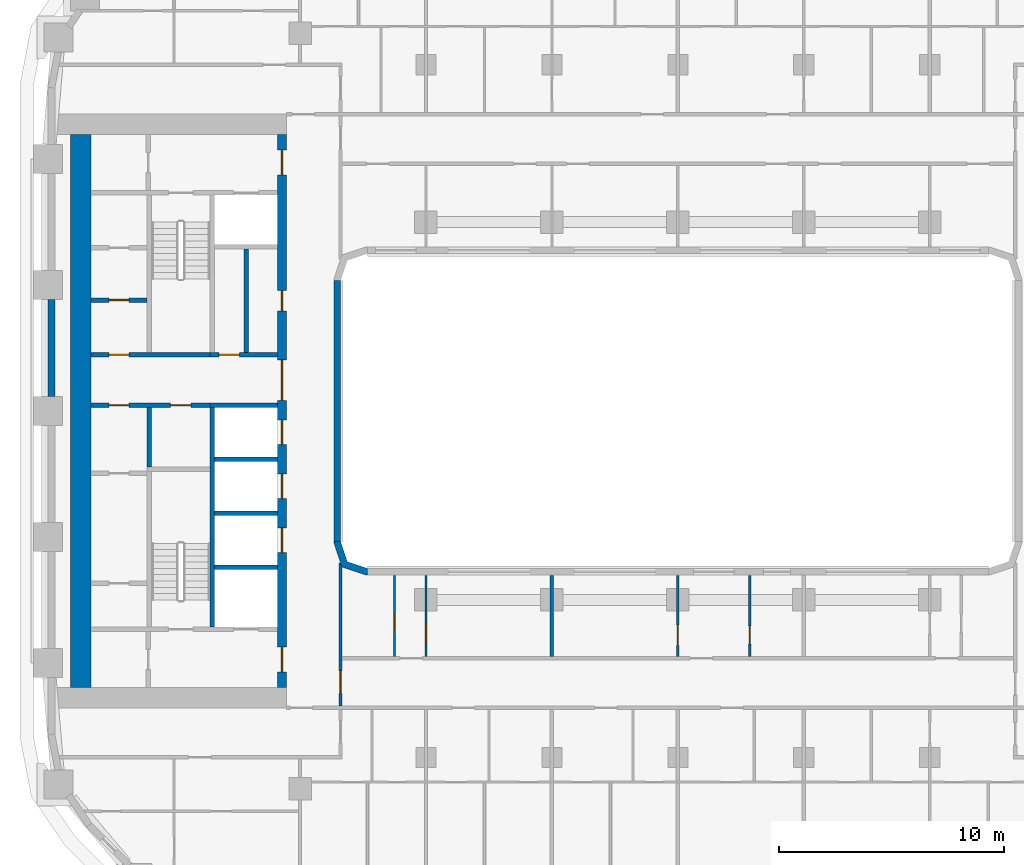
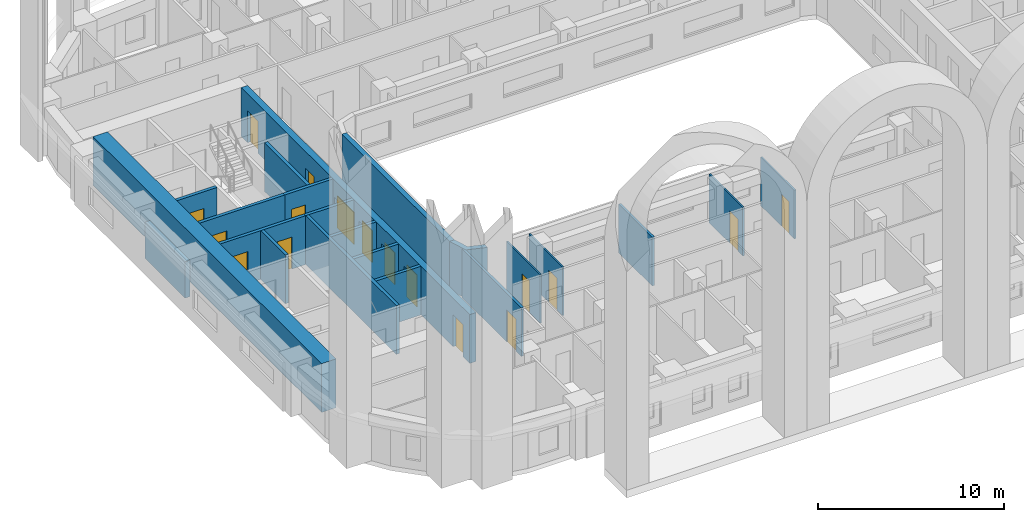
# One storey, part 4 of 19: 22 walls, 17 doors, 17 openings.
"""IFC4 building model written with IfcOpenShell, lengths in metres."""

from ifc_helpers import new_model, si_unit, direction, frame, frame_2d, origin, place, context, subcontext, project, spatial, polyline, rectangle, outline, extrude, material, layer, layer_set, type_object, element, fill, save


model = new_model("IFC4")

# Units and contexts
model_context = context("Model", 3, precision=1e-05, world=origin(), true_north=direction((0.0, 1.0)))
body_context = subcontext(model_context, "Body", "Model", "MODEL_VIEW")
ifc_project = project(units=[si_unit("LENGTHUNIT", "METRE"), si_unit("AREAUNIT", "SQUARE_METRE"), si_unit("VOLUMEUNIT", "CUBIC_METRE"), si_unit("PLANEANGLEUNIT", "RADIAN"), si_unit("MASSUNIT", "GRAM", prefix="KILO")], contexts=[model_context])

# Site, building, storey
site_placement = place(None, origin())
site = spatial("IfcSite", under=ifc_project, at=site_placement, CompositionType="ELEMENT")
building_placement = place(site_placement, origin())
building = spatial("IfcBuilding", under=site, at=building_placement, Name="Kiln Ring Residences", CompositionType="ELEMENT")
storey_placement = place(building_placement, frame((0.0, 0.0, 83.300048828125)))
storey = spatial("IfcBuildingStorey", under=building, at=storey_placement, Name="L20", CompositionType="ELEMENT", Elevation=83.300048828125)

# Wall
ifc_material_1 = material(Name="Gypsum board on steel studs", Category="steel")
ifc_layer_1 = layer(ifc_material_1, 0.199951171875)
ifc_layer_set_1 = layer_set([ifc_layer_1], Name="CORE-PARTITION-200")
wall_type_1 = type_object("IfcWallType", Name="CORE-PARTITION-200", PredefinedType="PARTITIONING", material=ifc_layer_set_1)
wall_1_placement = place(storey_placement, frame((-23.5, -2.5, 0.0), z_axis=(0.0, 0.0, 1.0), x_axis=(0.0, 1.0, 0.0)))
element("IfcWall", 1, at=wall_1_placement, inside=storey, type_object=wall_type_1, Name="Core partition west L20 1", PredefinedType="PARTITIONING", context=body_context, shape_type="SweptSolid", body=[
    extrude(rectangle(XDim=2.64990234375, YDim=0.199951171875, at=frame_2d((1.324951171875, 0.0))), origin(), (0.0, 0.0, 1.0), 3.199951171875),
])

# Wall, openings, doors
wall_2_placement = place(storey_placement, frame((-20.800048828125, 0.25, 0.0), z_axis=(0.0, 0.0, 1.0), x_axis=(-1.0, 0.0, 0.0)))
wall_2 = element("IfcWall", 2, at=wall_2_placement, inside=storey, type_object=wall_type_1, Name="Core partition west L20 2", PredefinedType="PARTITIONING", context=body_context, shape_type="SweptSolid", body=[
    extrude(rectangle(XDim=5.300048828125, YDim=0.199951171875, at=frame_2d((2.64990234375, 0.0))), origin(), (0.0, 0.0, 1.0), 3.199951171875),
])
opening_1_placement = place(wall_2_placement, frame((0.85009765625, 0.0, 0.0)))
opening_1 = element("IfcOpeningElement", 3, at=opening_1_placement, cuts=wall_2, Name="Opening L20-CW15", PredefinedType="OPENING", context=body_context, shape_type="SweptSolid", body=[
    extrude(rectangle(XDim=0.89990234375, YDim=2.10009765625, at=frame_2d((0.449951171875, 1.050048828125))), frame((0.0, 0.10986328125, 0.0), z_axis=(0.0, -1.0, 0.0), x_axis=(1.0, 0.0, 0.0)), (0.0, 0.0, 1.0), 0.219970703125),
])
opening_2_placement = place(wall_2_placement, frame((3.60009765625, 0.0, 0.0)))
opening_2 = element("IfcOpeningElement", 4, at=opening_2_placement, cuts=wall_2, Name="Opening L20-CW18", PredefinedType="OPENING", context=body_context, shape_type="SweptSolid", body=[
    extrude(rectangle(XDim=0.89990234375, YDim=2.10009765625, at=frame_2d((0.449951171875, 1.050048828125))), frame((0.0, 0.10986328125, 0.0), z_axis=(0.0, -1.0, 0.0), x_axis=(1.0, 0.0, 0.0)), (0.0, 0.0, 1.0), 0.219970703125),
])
ifc_material_2 = material(Name="Steel door leaf", Category="steel")
door_type_1 = type_object("IfcDoorType", Name="CORE-DOOR-ROOM", OperationType="SINGLE_SWING_LEFT", PredefinedType="DOOR", material=ifc_material_2)
door_1_placement = place(opening_1_placement, origin())
door_1 = element("IfcDoor", 5, at=door_1_placement, inside=storey, type_object=door_type_1, Name="Cleaner's store L20-CW15", OperationType="SINGLE_SWING_LEFT", OverallHeight=2.10009765625, OverallWidth=0.89990234375, PredefinedType="DOOR", context=body_context, shape_type="SweptSolid", body=[
    extrude(rectangle(XDim=0.89990234375, YDim=2.10009765625, at=frame_2d((0.449951171875, 1.050048828125))), frame((0.0, 0.02490234375, 0.0), z_axis=(0.0, -1.0, 0.0), x_axis=(1.0, 0.0, 0.0)), (0.0, 0.0, 1.0), 0.050048828125),
])
fill(opening_1, door_1)
door_2_placement = place(opening_2_placement, origin())
door_2 = element("IfcDoor", 6, at=door_2_placement, inside=storey, type_object=door_type_1, Name="Battery room L20-CW18", OperationType="SINGLE_SWING_RIGHT", OverallHeight=2.10009765625, OverallWidth=0.89990234375, PredefinedType="DOOR", context=body_context, shape_type="SweptSolid", body=[
    extrude(rectangle(XDim=0.89990234375, YDim=2.10009765625, at=frame_2d((0.449951171875, 1.050048828125))), frame((0.0, 0.02490234375, 0.0), z_axis=(0.0, -1.0, 0.0), x_axis=(1.0, 0.0, 0.0)), (0.0, 0.0, 1.0), 0.050048828125),
])
fill(opening_2, door_2)

# Wall
wall_3_placement = place(storey_placement, frame((-19.199951171875, 2.60009765625, 0.0), z_axis=(0.0, 0.0, 1.0), x_axis=(0.0, 1.0, 0.0)))
element("IfcWall", 7, at=wall_3_placement, inside=storey, type_object=wall_type_1, Name="Core partition west L20 3", PredefinedType="PARTITIONING", context=body_context, shape_type="SweptSolid", body=[
    extrude(rectangle(XDim=4.599853515625, YDim=0.199951171875, at=frame_2d((2.2998046875, 0.0))), origin(), (0.0, 0.0, 1.0), 3.199951171875),
])

# Wall, opening, door
wall_4_placement = place(storey_placement, frame((-23.60009765625, 4.933349609375, 0.0), z_axis=(0.0, 0.0, 1.0), x_axis=(-1.0, 0.0, 0.0)))
wall_4 = element("IfcWall", 8, at=wall_4_placement, inside=storey, type_object=wall_type_1, Name="Core partition west L20 8", PredefinedType="PARTITIONING", context=body_context, shape_type="SweptSolid", body=[
    extrude(rectangle(XDim=2.5, YDim=0.199951171875, at=frame_2d((1.25, 0.0))), origin(), (0.0, 0.0, 1.0), 3.199951171875),
])
opening_3_placement = place(wall_4_placement, frame((0.800048828125, 0.0, 0.0)))
opening_3 = element("IfcOpeningElement", 9, at=opening_3_placement, cuts=wall_4, Name="Opening L20-CW19", PredefinedType="OPENING", context=body_context, shape_type="SweptSolid", body=[
    extrude(rectangle(XDim=0.89990234375, YDim=2.10009765625, at=frame_2d((0.449951171875, 1.050048828125))), frame((0.0, 0.10986328125, 0.0), z_axis=(0.0, -1.0, 0.0), x_axis=(1.0, 0.0, 0.0)), (0.0, 0.0, 1.0), 0.219970703125),
])
door_3_placement = place(opening_3_placement, origin())
door_3 = element("IfcDoor", 10, at=door_3_placement, inside=storey, type_object=door_type_1, Name="Electrical plant room L20-CW19", OperationType="SINGLE_SWING_RIGHT", OverallHeight=2.10009765625, OverallWidth=0.89990234375, PredefinedType="DOOR", context=body_context, shape_type="SweptSolid", body=[
    extrude(rectangle(XDim=0.89990234375, YDim=2.10009765625, at=frame_2d((0.449951171875, 1.050048828125))), frame((0.0, 0.02490234375, 0.0), z_axis=(0.0, -1.0, 0.0), x_axis=(1.0, 0.0, 0.0)), (0.0, 0.0, 1.0), 0.050048828125),
])
fill(opening_3, door_3)

# Walls
ifc_material_3 = material(Name="Gypsum shaft wall system")
ifc_layer_2 = layer(ifc_material_3, 0.199951171875)
ifc_layer_set_2 = layer_set([ifc_layer_2], Name="CORE-SHAFT-WALL-200")
wall_type_2 = type_object("IfcWallType", Name="CORE-SHAFT-WALL-200", PredefinedType="PARTITIONING", material=ifc_layer_set_2)
for number, where, z_axis, x_axis, name in (
    (11, (-17.800048828125, -6.949951171875, 0.0), (0.0, 0.0, 1.0), (-1.0, 0.0, 0.0), "Core partition west L20 10"),
    (12, (-17.800048828125, -4.550048828125, 0.0), (0.0, 0.0, 1.0), (-1.0, 0.0, 0.0), "Core partition west L20 11"),
    (13, (-17.800048828125, -2.14990234375, 0.0), (0.0, 0.0, 1.0), (-1.0, 0.0, 0.0), "Core partition west L20 12"),
):
    element("IfcWall", number, at=place(storey_placement, frame(where, z_axis=z_axis, x_axis=x_axis)), inside=storey, type_object=wall_type_2, Name=name, PredefinedType="PARTITIONING", context=body_context, shape_type="SweptSolid", body=[
        extrude(rectangle(XDim=2.800048828125, YDim=0.199951171875, at=frame_2d((1.39990234375, 0.0))), origin(), (0.0, 0.0, 1.0), 3.199951171875),
    ])
wall_5_placement = place(storey_placement, frame((-17.800048828125, 0.25, 0.0), z_axis=(0.0, 0.0, 1.0), x_axis=(-1.0, 0.0, 0.0)))
element("IfcWall", 14, at=wall_5_placement, inside=storey, type_object=wall_type_2, Name="Core partition west L20 13", PredefinedType="PARTITIONING", context=body_context, shape_type="SweptSolid", body=[
    extrude(rectangle(XDim=3.0, YDim=0.199951171875, at=frame_2d((1.5, 0.0))), origin(), (0.0, 0.0, 1.0), 3.199951171875),
])

# Wall, opening, door
wall_6_placement = place(storey_placement, frame((-17.800048828125, 2.5, 0.0), z_axis=(0.0, 0.0, 1.0), x_axis=(-1.0, 0.0, 0.0)))
wall_6 = element("IfcWall", 15, at=wall_6_placement, inside=storey, type_object=wall_type_2, Name="Core partition west L20 14", PredefinedType="PARTITIONING", context=body_context, shape_type="SweptSolid", body=[
    extrude(rectangle(XDim=3.0, YDim=0.199951171875, at=frame_2d((1.5, 0.0))), origin(), (0.0, 0.0, 1.0), 3.199951171875),
])
opening_4_placement = place(wall_6_placement, frame((1.699951171875, 0.0, 0.0)))
opening_4 = element("IfcOpeningElement", 16, at=opening_4_placement, cuts=wall_6, Name="Opening L20-CW06", PredefinedType="OPENING", context=body_context, shape_type="SweptSolid", body=[
    extrude(rectangle(XDim=0.89990234375, YDim=2.10009765625, at=frame_2d((0.449951171875, 1.050048828125))), frame((0.0, 0.10986328125, 0.0), z_axis=(0.0, -1.0, 0.0), x_axis=(1.0, 0.0, 0.0)), (0.0, 0.0, 1.0), 0.219970703125),
])
door_4_placement = place(opening_4_placement, origin())
door_4 = element("IfcDoor", 17, at=door_4_placement, inside=storey, type_object=door_type_1, Name="Cleaner's store L20-CW06", OperationType="SINGLE_SWING_LEFT", OverallHeight=2.10009765625, OverallWidth=0.89990234375, PredefinedType="DOOR", context=body_context, shape_type="SweptSolid", body=[
    extrude(rectangle(XDim=0.89990234375, YDim=2.10009765625, at=frame_2d((0.449951171875, 1.050048828125))), frame((0.0, 0.02490234375, 0.0), z_axis=(0.0, -1.0, 0.0), x_axis=(1.0, 0.0, 0.0)), (0.0, 0.0, 1.0), 0.050048828125),
])
fill(opening_4, door_4)

# Wall
ifc_material_4 = material(Name="Concrete C40/50", Category="concrete")
ifc_layer_3 = layer(ifc_material_4, 0.199951171875)
ifc_layer_set_3 = layer_set([ifc_layer_3], Name="CORE-WALL-RC200")
wall_type_3 = type_object("IfcWallType", Name="CORE-WALL-RC200", PredefinedType="SHEAR", material=ifc_layer_set_3)
wall_7_placement = place(storey_placement, frame((-20.699951171875, -9.60009765625, 0.0), z_axis=(0.0, 0.0, 1.0), x_axis=(0.0, 1.0, 0.0)))
element("IfcWall", 18, at=wall_7_placement, inside=storey, type_object=wall_type_3, Name="Core wall west L20 2", PredefinedType="SHEAR", context=body_context, shape_type="SweptSolid", body=[
    extrude(rectangle(XDim=9.75, YDim=0.199951171875, at=frame_2d((4.875, 0.0))), origin(), (0.0, 0.0, 1.0), 3.199951171875),
])

# Wall, opening, door
wall_8_placement = place(storey_placement, frame((-20.800048828125, 2.5, 0.0), z_axis=(0.0, 0.0, 1.0), x_axis=(-1.0, 0.0, 0.0)))
wall_8 = element("IfcWall", 19, at=wall_8_placement, inside=storey, type_object=wall_type_3, Name="Core wall west L20 3", PredefinedType="SHEAR", context=body_context, shape_type="SweptSolid", body=[
    extrude(rectangle(XDim=5.300048828125, YDim=0.199951171875, at=frame_2d((2.64990234375, 0.0))), origin(), (0.0, 0.0, 1.0), 3.199951171875),
])
opening_5_placement = place(wall_8_placement, frame((3.60009765625, 0.0, 0.0)))
opening_5 = element("IfcOpeningElement", 20, at=opening_5_placement, cuts=wall_8, Name="Opening L20-CW21", PredefinedType="OPENING", context=body_context, shape_type="SweptSolid", body=[
    extrude(rectangle(XDim=0.89990234375, YDim=2.10009765625, at=frame_2d((0.449951171875, 1.050048828125))), frame((0.0, 0.10986328125, 0.0), z_axis=(0.0, -1.0, 0.0), x_axis=(1.0, 0.0, 0.0)), (0.0, 0.0, 1.0), 0.219970703125),
])
door_5_placement = place(opening_5_placement, origin())
door_5 = element("IfcDoor", 21, at=door_5_placement, inside=storey, type_object=door_type_1, Name="UPS room L20-CW21", OperationType="SINGLE_SWING_RIGHT", OverallHeight=2.10009765625, OverallWidth=0.89990234375, PredefinedType="DOOR", context=body_context, shape_type="SweptSolid", body=[
    extrude(rectangle(XDim=0.89990234375, YDim=2.10009765625, at=frame_2d((0.449951171875, 1.050048828125))), frame((0.0, 0.02490234375, 0.0), z_axis=(0.0, -1.0, 0.0), x_axis=(1.0, 0.0, 0.0)), (0.0, 0.0, 1.0), 0.050048828125),
])
fill(opening_5, door_5)

# Wall, openings, doors
ifc_material_5 = material(Name="Concrete C60/75", Category="concrete")
ifc_layer_4 = layer(ifc_material_5, 0.39990234375)
ifc_layer_set_4 = layer_set([ifc_layer_4], Name="CORE-WALL-RC400")
wall_type_4 = type_object("IfcWallType", Name="CORE-WALL-RC400", PredefinedType="SHEAR", material=ifc_layer_set_4)
wall_9_placement = place(storey_placement, frame((-17.60009765625, -12.300048828125, 0.0), z_axis=(0.0, 0.0, 1.0), x_axis=(0.0, 1.0, 0.0)))
wall_9 = element("IfcWall", 22, at=wall_9_placement, inside=storey, type_object=wall_type_4, Name="Core wall west L20 6", PredefinedType="SHEAR", context=body_context, shape_type="SweptSolid", body=[
    extrude(rectangle(XDim=24.60009765625, YDim=0.39990234375, at=frame_2d((12.300048828125, 0.0))), origin(), (0.0, 0.0, 1.0), 3.199951171875),
])
opening_6_placement = place(wall_9_placement, frame((6.0, 0.0, 0.0)))
opening_6 = element("IfcOpeningElement", 23, at=opening_6_placement, cuts=wall_9, Name="Opening L20-CW02", PredefinedType="OPENING", context=body_context, shape_type="SweptSolid", body=[
    extrude(rectangle(XDim=1.10009765625, YDim=2.10009765625, at=frame_2d((0.550048828125, 1.050048828125))), frame((0.0, 0.2099609375, 0.0), z_axis=(0.0, -1.0, 0.0), x_axis=(1.0, 0.0, 0.0)), (0.0, 0.0, 1.0), 0.419921875),
])
opening_7_placement = place(wall_9_placement, frame((8.39990234375, 0.0, 0.0)))
opening_7 = element("IfcOpeningElement", 24, at=opening_7_placement, cuts=wall_9, Name="Opening L20-CW03", PredefinedType="OPENING", context=body_context, shape_type="SweptSolid", body=[
    extrude(rectangle(XDim=1.10009765625, YDim=2.10009765625, at=frame_2d((0.550048828125, 1.050048828125))), frame((0.0, 0.2099609375, 0.0), z_axis=(0.0, -1.0, 0.0), x_axis=(1.0, 0.0, 0.0)), (0.0, 0.0, 1.0), 0.419921875),
])
opening_8_placement = place(wall_9_placement, frame((10.800048828125, 0.0, 0.0)))
opening_8 = element("IfcOpeningElement", 25, at=opening_8_placement, cuts=wall_9, Name="Opening L20-CW04", PredefinedType="OPENING", context=body_context, shape_type="SweptSolid", body=[
    extrude(rectangle(XDim=1.10009765625, YDim=2.10009765625, at=frame_2d((0.550048828125, 1.050048828125))), frame((0.0, 0.2099609375, 0.0), z_axis=(0.0, -1.0, 0.0), x_axis=(1.0, 0.0, 0.0)), (0.0, 0.0, 1.0), 0.419921875),
])
opening_9_placement = place(wall_9_placement, frame((16.75, 0.0, 0.0)))
opening_9 = element("IfcOpeningElement", 26, at=opening_9_placement, cuts=wall_9, Name="Opening L20-CW05", PredefinedType="OPENING", context=body_context, shape_type="SweptSolid", body=[
    extrude(rectangle(XDim=0.89990234375, YDim=2.10009765625, at=frame_2d((0.449951171875, 1.050048828125))), frame((0.0, 0.2099609375, 0.0), z_axis=(0.0, -1.0, 0.0), x_axis=(1.0, 0.0, 0.0)), (0.0, 0.0, 1.0), 0.419921875),
])
opening_10_placement = place(wall_9_placement, frame((22.800048828125, 0.0, 0.0)))
opening_10 = element("IfcOpeningElement", 27, at=opening_10_placement, cuts=wall_9, Name="Opening L20-CW08", PredefinedType="OPENING", context=body_context, shape_type="SweptSolid", body=[
    extrude(rectangle(XDim=1.10009765625, YDim=2.10009765625, at=frame_2d((0.550048828125, 1.050048828125))), frame((0.0, 0.2099609375, 0.0), z_axis=(0.0, -1.0, 0.0), x_axis=(1.0, 0.0, 0.0)), (0.0, 0.0, 1.0), 0.419921875),
])
opening_11_placement = place(wall_9_placement, frame((0.699951171875, 0.0, 0.0)))
opening_11 = element("IfcOpeningElement", 28, at=opening_11_placement, cuts=wall_9, Name="Opening L20-CW09", PredefinedType="OPENING", context=body_context, shape_type="SweptSolid", body=[
    extrude(rectangle(XDim=1.10009765625, YDim=2.10009765625, at=frame_2d((0.550048828125, 1.050048828125))), frame((0.0, 0.2099609375, 0.0), z_axis=(0.0, -1.0, 0.0), x_axis=(1.0, 0.0, 0.0)), (0.0, 0.0, 1.0), 0.419921875),
])
opening_12_placement = place(wall_9_placement, frame((12.77490234375, 0.0, 0.0)))
opening_12 = element("IfcOpeningElement", 29, at=opening_12_placement, cuts=wall_9, Name="Opening L20-CW14", PredefinedType="OPENING", context=body_context, shape_type="SweptSolid", body=[
    extrude(rectangle(XDim=1.800048828125, YDim=2.10009765625, at=frame_2d((0.89990234375, 1.050048828125))), frame((0.0, 0.2099609375, 0.0), z_axis=(0.0, -1.0, 0.0), x_axis=(1.0, 0.0, 0.0)), (0.0, 0.0, 1.0), 0.419921875),
])
ifc_material_6 = material(Name="Steel door leaf", Category="steel")
door_type_2 = type_object("IfcDoorType", Name="CORE-DOOR-LD", OperationType="DOUBLE_DOOR_SLIDING", PredefinedType="DOOR", material=ifc_material_6)
door_6_placement = place(opening_6_placement, origin())
door_6 = element("IfcDoor", 30, at=door_6_placement, inside=storey, type_object=door_type_2, Name="LD W-L1 L20-CW02", OperationType="DOUBLE_DOOR_SLIDING", OverallHeight=2.10009765625, OverallWidth=1.10009765625, PredefinedType="DOOR", context=body_context, shape_type="SweptSolid", body=[
    extrude(rectangle(XDim=1.10009765625, YDim=2.10009765625, at=frame_2d((0.550048828125, 1.050048828125))), frame((0.0, 0.02490234375, 0.0), z_axis=(0.0, -1.0, 0.0), x_axis=(1.0, 0.0, 0.0)), (0.0, 0.0, 1.0), 0.050048828125),
])
fill(opening_6, door_6)
door_7_placement = place(opening_7_placement, origin())
door_7 = element("IfcDoor", 31, at=door_7_placement, inside=storey, type_object=door_type_2, Name="LD W-L2 L20-CW03", OperationType="DOUBLE_DOOR_SLIDING", OverallHeight=2.10009765625, OverallWidth=1.10009765625, PredefinedType="DOOR", context=body_context, shape_type="SweptSolid", body=[
    extrude(rectangle(XDim=1.10009765625, YDim=2.10009765625, at=frame_2d((0.550048828125, 1.050048828125))), frame((0.0, 0.02490234375, 0.0), z_axis=(0.0, -1.0, 0.0), x_axis=(1.0, 0.0, 0.0)), (0.0, 0.0, 1.0), 0.050048828125),
])
fill(opening_7, door_7)
door_8_placement = place(opening_8_placement, origin())
door_8 = element("IfcDoor", 32, at=door_8_placement, inside=storey, type_object=door_type_2, Name="LD W-L3 L20-CW04", OperationType="DOUBLE_DOOR_SLIDING", OverallHeight=2.10009765625, OverallWidth=1.10009765625, PredefinedType="DOOR", context=body_context, shape_type="SweptSolid", body=[
    extrude(rectangle(XDim=1.10009765625, YDim=2.10009765625, at=frame_2d((0.550048828125, 1.050048828125))), frame((0.0, 0.02490234375, 0.0), z_axis=(0.0, -1.0, 0.0), x_axis=(1.0, 0.0, 0.0)), (0.0, 0.0, 1.0), 0.050048828125),
])
fill(opening_8, door_8)
ifc_material_7 = material(Name="Steel door leaf", Category="steel")
door_type_3 = type_object("IfcDoorType", Name="CORE-DOOR-LOBBY", OperationType="SINGLE_SWING_LEFT", PredefinedType="DOOR", material=ifc_material_7)
door_9_placement = place(opening_10_placement, origin())
door_9 = element("IfcDoor", 33, at=door_9_placement, inside=storey, type_object=door_type_3, Name="FFL L20-CW08", OperationType="SINGLE_SWING_LEFT", OverallHeight=2.10009765625, OverallWidth=1.10009765625, PredefinedType="DOOR", context=body_context, shape_type="SweptSolid", body=[
    extrude(rectangle(XDim=1.10009765625, YDim=2.10009765625, at=frame_2d((0.550048828125, 1.050048828125))), frame((0.0, 0.02490234375, 0.0), z_axis=(0.0, -1.0, 0.0), x_axis=(1.0, 0.0, 0.0)), (0.0, 0.0, 1.0), 0.050048828125),
])
fill(opening_10, door_9)
door_10_placement = place(opening_11_placement, origin())
door_10 = element("IfcDoor", 34, at=door_10_placement, inside=storey, type_object=door_type_3, Name="SVL L20-CW09", OperationType="SINGLE_SWING_RIGHT", OverallHeight=2.10009765625, OverallWidth=1.10009765625, PredefinedType="DOOR", context=body_context, shape_type="SweptSolid", body=[
    extrude(rectangle(XDim=1.10009765625, YDim=2.10009765625, at=frame_2d((0.550048828125, 1.050048828125))), frame((0.0, 0.02490234375, 0.0), z_axis=(0.0, -1.0, 0.0), x_axis=(1.0, 0.0, 0.0)), (0.0, 0.0, 1.0), 0.050048828125),
])
fill(opening_11, door_10)
ifc_material_8 = material(Name="Steel door leaf", Category="steel")
door_type_4 = type_object("IfcDoorType", Name="CORE-DOOR-PASS", OperationType="DOUBLE_DOOR_SINGLE_SWING", PredefinedType="DOOR", material=ifc_material_8)
door_11_placement = place(opening_12_placement, origin())
door_11 = element("IfcDoor", 35, at=door_11_placement, inside=storey, type_object=door_type_4, Name="Core passage L20-CW14", OperationType="DOUBLE_DOOR_SINGLE_SWING", OverallHeight=2.10009765625, OverallWidth=1.800048828125, PredefinedType="DOOR", context=body_context, shape_type="SweptSolid", body=[
    extrude(rectangle(XDim=1.800048828125, YDim=2.10009765625, at=frame_2d((0.89990234375, 1.050048828125))), frame((0.0, 0.02490234375, 0.0), z_axis=(0.0, -1.0, 0.0), x_axis=(1.0, 0.0, 0.0)), (0.0, 0.0, 1.0), 0.050048828125),
])
fill(opening_12, door_11)
door_12_placement = place(opening_9_placement, origin())
door_12 = element("IfcDoor", 36, at=door_12_placement, inside=storey, type_object=door_type_1, Name="Storage room L20-CW05", OperationType="SINGLE_SWING_LEFT", OverallHeight=2.10009765625, OverallWidth=0.89990234375, PredefinedType="DOOR", context=body_context, shape_type="SweptSolid", body=[
    extrude(rectangle(XDim=0.89990234375, YDim=2.10009765625, at=frame_2d((0.449951171875, 1.050048828125))), frame((0.0, 0.02490234375, 0.0), z_axis=(0.0, -1.0, 0.0), x_axis=(1.0, 0.0, 0.0)), (0.0, 0.0, 1.0), 0.050048828125),
])
fill(opening_9, door_12)

# Walls
ifc_material_9 = material(Name="Concrete C60/75", Category="concrete")
ifc_layer_5 = layer(ifc_material_9, 0.89990234375)
ifc_layer_set_5 = layer_set([ifc_layer_5], Name="CORE-WALL-RC900")
wall_type_5 = type_object("IfcWallType", Name="CORE-WALL-RC900", PredefinedType="SHEAR", material=ifc_layer_set_5)
wall_10_placement = place(storey_placement, frame((-26.550048828125, -12.300048828125, 0.0), z_axis=(0.0, 0.0, 1.0), x_axis=(0.0, 1.0, 0.0)))
element("IfcWall", 37, at=wall_10_placement, inside=storey, type_object=wall_type_5, Name="Core wall west L20 7", PredefinedType="SHEAR", context=body_context, shape_type="SweptSolid", body=[
    extrude(rectangle(XDim=24.60009765625, YDim=0.89990234375, at=frame_2d((12.300048828125, 0.0))), origin(), (0.0, 0.0, 1.0), 3.199951171875),
])
ifc_material_10 = material(Name="Brick masonry, dark clay brick", Category="masonry")
ifc_layer_6 = layer(ifc_material_10, 0.300048828125)
ifc_layer_set_6 = layer_set([ifc_layer_6], Name="EW-300 BRICK WALL")
wall_type_6 = type_object("IfcWallType", Name="EW-300 BRICK WALL", PredefinedType="SOLIDWALL", material=ifc_layer_set_6)
wall_11_placement = place(storey_placement, frame((-27.85009765625, 4.949951171875, 0.0), z_axis=(0.0, 0.0, 1.0), x_axis=(0.0, -1.0, 0.0)))
element("IfcWall", 38, at=wall_11_placement, inside=storey, type_object=wall_type_6, Name="Facade wall L20 43", PredefinedType="SOLIDWALL", context=body_context, shape_type="SweptSolid", body=[
    extrude(rectangle(XDim=4.300048828125, YDim=0.300048828125, at=frame_2d((2.14990234375, 0.0))), origin(), (0.0, 0.0, 1.0), 2.39990234375),
])
wall_12_placement = place(storey_placement, frame((-15.14990234375, -5.800048828125, 0.0), z_axis=(0.0, 0.0, 1.0), x_axis=(0.0, 1.0, 0.0)))
element("IfcWall", 39, at=wall_12_placement, inside=storey, type_object=wall_type_6, Name="Facade wall L20 49", PredefinedType="SOLIDWALL", context=body_context, shape_type="SweptSolid", body=[
    extrude(rectangle(XDim=11.60009765625, YDim=0.300048828125, at=frame_2d((5.800048828125, 0.0))), origin(), (0.0, 0.0, 1.0), 3.199951171875),
])
wall_13_placement = place(storey_placement, origin())
element("IfcWall", 40, at=wall_13_placement, inside=storey, type_object=wall_type_6, Name="Corner wall L20 4", PredefinedType="SOLIDWALL", context=body_context, shape_type="SweptSolid", body=[
    extrude(outline(polyline([(-14.937255859375, -6.937255859375), (-13.8486328125, -7.300048828125), (-13.800048828125, -7.300048828125), (-13.800048828125, -7.0), (-14.699951171875, -6.699951171875), (-15.0, -5.800048828125), (-15.300048828125, -5.800048828125), (-15.300048828125, -5.8486328125), (-14.937255859375, -6.937255859375)])), origin(), (0.0, 0.0, 1.0), 3.199951171875),
])

# Wall, opening, door
ifc_material_11 = material(Name="Gypsum board on steel studs", Category="steel")
ifc_layer_7 = layer(ifc_material_11, 0.10009765625)
ifc_layer_set_7 = layer_set([ifc_layer_7], Name="PARTITION-100")
wall_type_7 = type_object("IfcWallType", Name="PARTITION-100", PredefinedType="PARTITIONING", material=ifc_layer_set_7)
wall_14_placement = place(storey_placement, frame((-12.60009765625, -10.925048828125, 0.0), z_axis=(0.0, 0.0, 1.0), x_axis=(0.0, 1.0, 0.0)))
wall_14 = element("IfcWall", 41, at=wall_14_placement, inside=storey, type_object=wall_type_7, Name="Partition 028", PredefinedType="PARTITIONING", context=body_context, shape_type="SweptSolid", body=[
    extrude(rectangle(XDim=3.60498046875, YDim=0.10009765625, at=frame_2d((1.802490234375, 0.0))), origin(), (0.0, 0.0, 1.0), 3.199951171875),
])
opening_13_placement = place(wall_14_placement, frame((1.10498046875, 0.0, 0.0)))
opening_13 = element("IfcOpeningElement", 42, at=opening_13_placement, cuts=wall_14, Name="Opening L20-D044", PredefinedType="OPENING", context=body_context, shape_type="SweptSolid", body=[
    extrude(rectangle(XDim=0.800048828125, YDim=2.10009765625, at=frame_2d((0.39990234375, 1.050048828125))), frame((0.0, 0.06005859375, 0.0), z_axis=(0.0, -1.0, 0.0), x_axis=(1.0, 0.0, 0.0)), (0.0, 0.0, 1.0), 0.1201171875),
])
ifc_material_12 = material(Name="Timber door leaf", Category="wood")
door_type_5 = type_object("IfcDoorType", Name="FLAT-DOOR-800-PL", OperationType="SINGLE_SWING_LEFT", PredefinedType="DOOR", material=ifc_material_12)
door_13_placement = place(opening_13_placement, origin())
door_13 = element("IfcDoor", 43, at=door_13_placement, inside=storey, type_object=door_type_5, Name="Door L20-D044", OperationType="SINGLE_SWING_RIGHT", OverallHeight=2.10009765625, OverallWidth=0.800048828125, PredefinedType="DOOR", context=body_context, shape_type="SweptSolid", body=[
    extrude(rectangle(XDim=0.800048828125, YDim=2.10009765625, at=frame_2d((0.39990234375, 1.050048828125))), frame((0.0, 0.02490234375, 0.0), z_axis=(0.0, -1.0, 0.0), x_axis=(1.0, 0.0, 0.0)), (0.0, 0.0, 1.0), 0.050048828125),
])
fill(opening_13, door_13)

wall_15_placement = place(storey_placement, frame((-11.199951171875, -10.925048828125, 0.0), z_axis=(0.0, 0.0, 1.0), x_axis=(0.0, 1.0, 0.0)))
wall_15 = element("IfcWall", 44, at=wall_15_placement, inside=storey, type_object=wall_type_7, Name="Partition 029", PredefinedType="PARTITIONING", context=body_context, shape_type="SweptSolid", body=[
    extrude(rectangle(XDim=3.60498046875, YDim=0.10009765625, at=frame_2d((1.802490234375, 0.0))), origin(), (0.0, 0.0, 1.0), 3.199951171875),
])
opening_14_placement = place(wall_15_placement, frame((0.575927734375, 0.0, 0.0)))
opening_14 = element("IfcOpeningElement", 45, at=opening_14_placement, cuts=wall_15, Name="Opening L20-D045", PredefinedType="OPENING", context=body_context, shape_type="SweptSolid", body=[
    extrude(rectangle(XDim=0.89990234375, YDim=2.10009765625, at=frame_2d((0.449951171875, 1.050048828125))), frame((0.0, 0.06005859375, 0.0), z_axis=(0.0, -1.0, 0.0), x_axis=(1.0, 0.0, 0.0)), (0.0, 0.0, 1.0), 0.1201171875),
])
ifc_material_13 = material(Name="Timber door leaf", Category="wood")
door_type_6 = type_object("IfcDoorType", Name="FLAT-DOOR-900-PL", OperationType="SINGLE_SWING_LEFT", PredefinedType="DOOR", material=ifc_material_13)
door_14_placement = place(opening_14_placement, origin())
door_14 = element("IfcDoor", 46, at=door_14_placement, inside=storey, type_object=door_type_6, Name="Door L20-D045", OperationType="SINGLE_SWING_LEFT", OverallHeight=2.10009765625, OverallWidth=0.89990234375, PredefinedType="DOOR", context=body_context, shape_type="SweptSolid", body=[
    extrude(rectangle(XDim=0.89990234375, YDim=2.10009765625, at=frame_2d((0.449951171875, 1.050048828125))), frame((0.0, 0.02490234375, 0.0), z_axis=(0.0, -1.0, 0.0), x_axis=(1.0, 0.0, 0.0)), (0.0, 0.0, 1.0), 0.050048828125),
])
fill(opening_14, door_14)

wall_16_placement = place(storey_placement, frame((0.0, -10.925048828125, 0.0), z_axis=(0.0, 0.0, 1.0), x_axis=(0.0, 1.0, 0.0)))
wall_16 = element("IfcWall", 47, at=wall_16_placement, inside=storey, type_object=wall_type_7, Name="Partition 047", PredefinedType="PARTITIONING", context=body_context, shape_type="SweptSolid", body=[
    extrude(rectangle(XDim=3.60498046875, YDim=0.10009765625, at=frame_2d((1.802490234375, 0.0))), origin(), (0.0, 0.0, 1.0), 3.199951171875),
])
opening_15_placement = place(wall_16_placement, frame((0.5048828125, 0.0, 0.0)))
opening_15 = element("IfcOpeningElement", 48, at=opening_15_placement, cuts=wall_16, Name="Opening L20-D048", PredefinedType="OPENING", context=body_context, shape_type="SweptSolid", body=[
    extrude(rectangle(XDim=0.89990234375, YDim=2.10009765625, at=frame_2d((0.449951171875, 1.050048828125))), frame((0.0, 0.06005859375, 0.0), z_axis=(0.0, -1.0, 0.0), x_axis=(1.0, 0.0, 0.0)), (0.0, 0.0, 1.0), 0.1201171875),
])
door_15_placement = place(opening_15_placement, origin())
door_15 = element("IfcDoor", 49, at=door_15_placement, inside=storey, type_object=door_type_6, Name="Door L20-D048", OperationType="SINGLE_SWING_RIGHT", OverallHeight=2.10009765625, OverallWidth=0.89990234375, PredefinedType="DOOR", context=body_context, shape_type="SweptSolid", body=[
    extrude(rectangle(XDim=0.89990234375, YDim=2.10009765625, at=frame_2d((0.449951171875, 1.050048828125))), frame((0.0, 0.02490234375, 0.0), z_axis=(0.0, -1.0, 0.0), x_axis=(1.0, 0.0, 0.0)), (0.0, 0.0, 1.0), 0.050048828125),
])
fill(opening_15, door_15)

wall_17_placement = place(storey_placement, frame((3.199951171875, -10.925048828125, 0.0), z_axis=(0.0, 0.0, 1.0), x_axis=(0.0, 1.0, 0.0)))
wall_17 = element("IfcWall", 50, at=wall_17_placement, inside=storey, type_object=wall_type_7, Name="Partition 054", PredefinedType="PARTITIONING", context=body_context, shape_type="SweptSolid", body=[
    extrude(rectangle(XDim=3.60498046875, YDim=0.10009765625, at=frame_2d((1.802490234375, 0.0))), origin(), (0.0, 0.0, 1.0), 3.199951171875),
])
opening_16_placement = place(wall_17_placement, frame((0.575927734375, 0.0, 0.0)))
opening_16 = element("IfcOpeningElement", 51, at=opening_16_placement, cuts=wall_17, Name="Opening L20-D047", PredefinedType="OPENING", context=body_context, shape_type="SweptSolid", body=[
    extrude(rectangle(XDim=0.800048828125, YDim=2.10009765625, at=frame_2d((0.39990234375, 1.050048828125))), frame((0.0, 0.06005859375, 0.0), z_axis=(0.0, -1.0, 0.0), x_axis=(1.0, 0.0, 0.0)), (0.0, 0.0, 1.0), 0.1201171875),
])
door_16_placement = place(opening_16_placement, origin())
door_16 = element("IfcDoor", 52, at=door_16_placement, inside=storey, type_object=door_type_5, Name="Door L20-D047", OperationType="SINGLE_SWING_LEFT", OverallHeight=2.10009765625, OverallWidth=0.800048828125, PredefinedType="DOOR", context=body_context, shape_type="SweptSolid", body=[
    extrude(rectangle(XDim=0.800048828125, YDim=2.10009765625, at=frame_2d((0.39990234375, 1.050048828125))), frame((0.0, 0.02490234375, 0.0), z_axis=(0.0, -1.0, 0.0), x_axis=(1.0, 0.0, 0.0)), (0.0, 0.0, 1.0), 0.050048828125),
])
fill(opening_16, door_16)

ifc_material_14 = material(Name="Brick masonry partition", Category="masonry")
ifc_layer_8 = layer(ifc_material_14, 0.14990234375)
ifc_layer_set_8 = layer_set([ifc_layer_8], Name="PARTITION-150-ei60")
wall_type_8 = type_object("IfcWallType", Name="PARTITION-150-ei60", PredefinedType="PARTITIONING", material=ifc_layer_set_8)
wall_18_placement = place(storey_placement, frame((-15.0, -13.125, 0.0), z_axis=(0.0, 0.0, 1.0), x_axis=(0.0, 1.0, 0.0)))
wall_18 = element("IfcWall", 53, at=wall_18_placement, inside=storey, type_object=wall_type_8, Name="Partition 021", PredefinedType="PARTITIONING", context=body_context, shape_type="SweptSolid", body=[
    extrude(rectangle(XDim=6.356201171875, YDim=0.14990234375, at=frame_2d((3.17822265625, 0.0))), origin(), (0.0, 0.0, 1.0), 3.199951171875),
])
opening_17_placement = place(wall_18_placement, frame((0.574951171875, 0.0, 0.0)))
opening_17 = element("IfcOpeningElement", 54, at=opening_17_placement, cuts=wall_18, Name="Opening L20-D005", PredefinedType="OPENING", context=body_context, shape_type="SweptSolid", body=[
    extrude(rectangle(XDim=1.0, YDim=2.10009765625, at=frame_2d((0.5, 1.050048828125))), frame((0.0, 0.0849609375, 0.0), z_axis=(0.0, -1.0, 0.0), x_axis=(1.0, 0.0, 0.0)), (0.0, 0.0, 1.0), 0.169921875),
])
ifc_material_15 = material(Name="Steel faced fire door leaf", Category="steel")
door_type_7 = type_object("IfcDoorType", Name="FLAT-DOOR-1000-FR", OperationType="SINGLE_SWING_LEFT", PredefinedType="DOOR", material=ifc_material_15)
door_17_placement = place(opening_17_placement, origin())
door_17 = element("IfcDoor", 55, at=door_17_placement, inside=storey, type_object=door_type_7, Name="Door L20-D005", OperationType="SINGLE_SWING_RIGHT", OverallHeight=2.10009765625, OverallWidth=1.0, PredefinedType="DOOR", context=body_context, shape_type="SweptSolid", body=[
    extrude(rectangle(XDim=1.0, YDim=2.10009765625, at=frame_2d((0.5, 1.050048828125))), frame((0.0, 0.02490234375, 0.0), z_axis=(0.0, -1.0, 0.0), x_axis=(1.0, 0.0, 0.0)), (0.0, 0.0, 1.0), 0.050048828125),
])
fill(opening_17, door_17)

# Wall
wall_19_placement = place(storey_placement, frame((-5.60009765625, -10.925048828125, 0.0), z_axis=(0.0, 0.0, 1.0), x_axis=(0.0, 1.0, 0.0)))
element("IfcWall", 56, at=wall_19_placement, inside=storey, type_object=wall_type_8, Name="Partition 043", PredefinedType="PARTITIONING", context=body_context, shape_type="SweptSolid", body=[
    extrude(rectangle(XDim=3.60498046875, YDim=0.14990234375, at=frame_2d((1.802490234375, 0.0))), origin(), (0.0, 0.0, 1.0), 3.199951171875),
])

save(model, "model.ifc")
